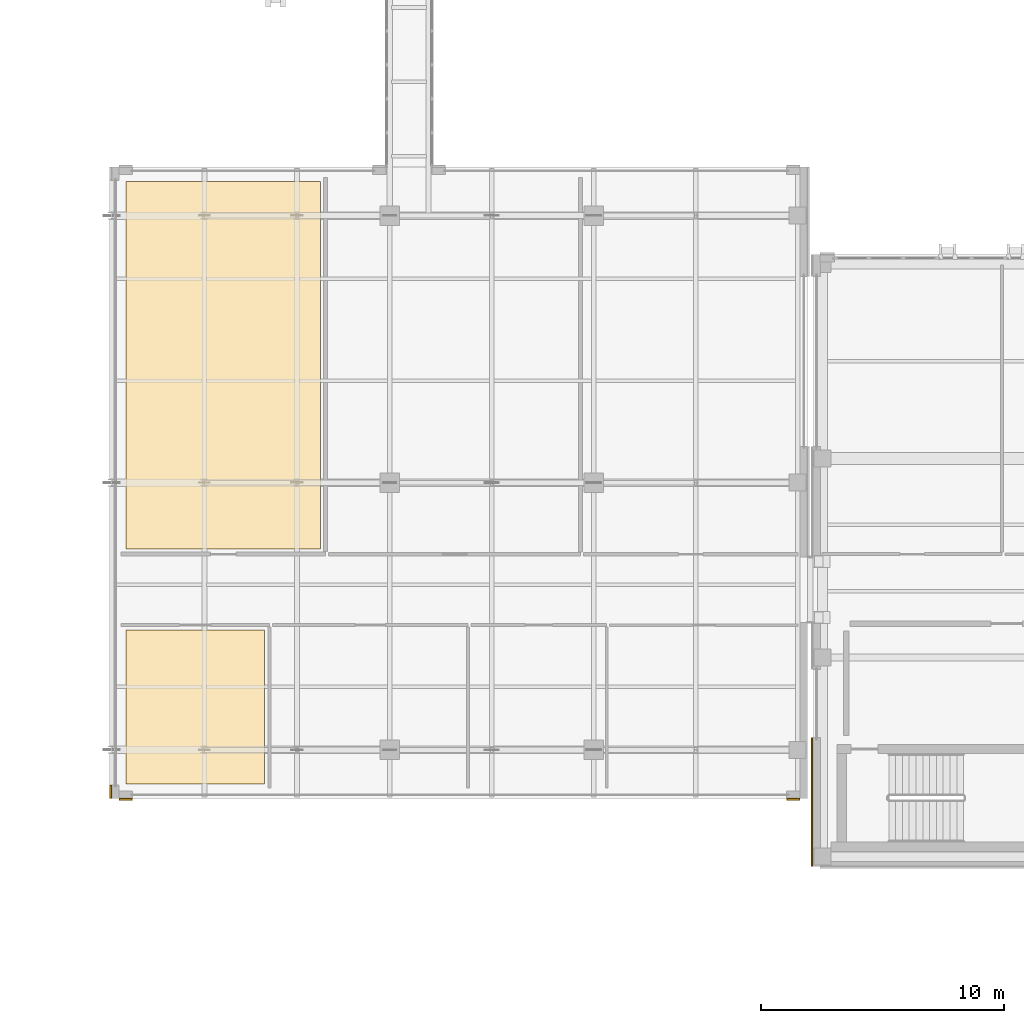
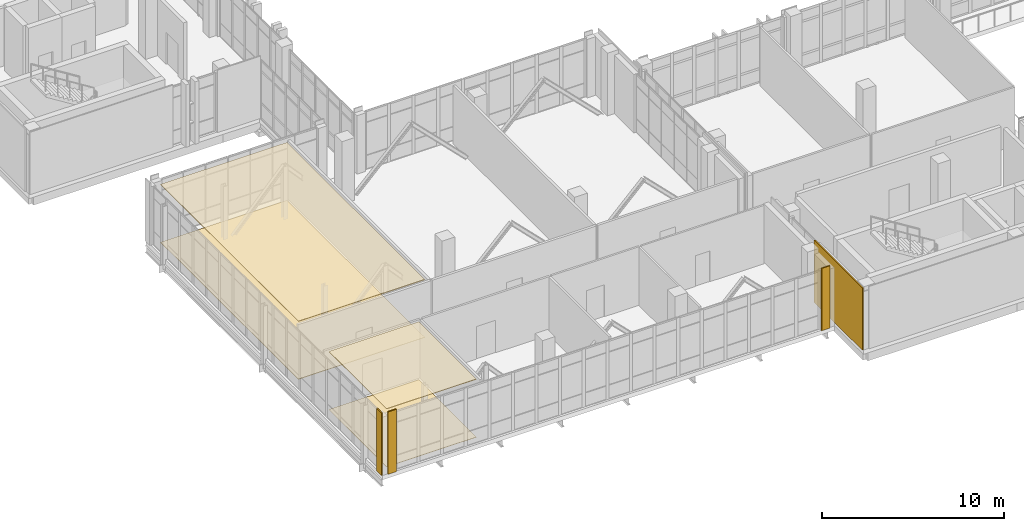
# One storey, part 172 of 193: 8 coverings.
"""IFC4 building model written with IfcOpenShell, lengths in metres."""

from ifc_helpers import new_model, si_unit, direction, frame, origin, origin_2d, place, context, subcontext, project, spatial, polyline, rectangle, outline, extrude, material, layer, layer_set, type_object, element, save


model = new_model("IFC4")

# Units and contexts
model_context = context("Model", 3, precision=1e-05, world=origin(), true_north=direction((0.0, 1.0)))
body_context = subcontext(model_context, "Body", "Model", "MODEL_VIEW")
ifc_project = project(units=[si_unit("LENGTHUNIT", "METRE"), si_unit("AREAUNIT", "SQUARE_METRE"), si_unit("VOLUMEUNIT", "CUBIC_METRE"), si_unit("PLANEANGLEUNIT", "RADIAN"), si_unit("MASSUNIT", "GRAM", prefix="KILO")], contexts=[model_context])

# Site, building, storey
site_placement = place(None, origin())
site = spatial("IfcSite", under=ifc_project, at=site_placement, CompositionType="ELEMENT")
building_placement = place(site_placement, origin())
building = spatial("IfcBuilding", under=site, at=building_placement, Name="Qalavern Law Courts", CompositionType="ELEMENT")
storey_placement = place(building_placement, frame((0.0, 0.0, 10.199951171875)))
storey = spatial("IfcBuildingStorey", under=building, at=storey_placement, Name="L02", CompositionType="ELEMENT", Elevation=10.199951171875)

# Coverings
ifc_material_1 = material(Name="Precast concrete C40/50", Category="concrete")
ifc_layer_1 = layer(ifc_material_1, 0.072021484375)
ifc_layer_set_1 = layer_set([ifc_layer_1], Name="Precast concrete C40/50")
covering_type_1 = type_object("IfcCoveringType", Name="ENV-CLD-2", PredefinedType="CLADDING", material=ifc_layer_set_1)
for number, where, z_axis, x_axis, name in (
    (1, (5.929931640625, 7.967041015625, 0.01025390625), (0.0, 0.0, 1.0), (1.0, 0.0, 0.0), "V1 Absheron limestone pier facing L02 south 1"),
    (2, (33.419921875, 7.967041015625, 0.01025390625), (0.0, 0.0, 1.0), (1.0, 0.0, 0.0), "V1 Absheron limestone pier facing L02 south 2"),
    (3, (5.31689453125, 8.27490234375, 0.01025390625), (0.0, 0.0, 1.0), (0.0, -1.0, 0.0), "V1 Absheron limestone pier facing L02 west 2"),
):
    element("IfcCovering", number, at=place(storey_placement, frame(where, z_axis=z_axis, x_axis=x_axis)), inside=storey, type_object=covering_type_1, Name=name, PredefinedType="CLADDING", context=body_context, shape_type="SweptSolid", body=[
        extrude(rectangle(XDim=0.530029296875, YDim=0.072021484375, at=origin_2d()), origin(), (0.0, 0.0, 1.0), 4.179931640625),
    ])
covering_1_placement = place(storey_placement, frame((34.18701171875, 7.85009765625, 0.01025390625), z_axis=(0.0, 0.0, 1.0), x_axis=(0.0, -1.0, 0.0)))
element("IfcCovering", 4, at=covering_1_placement, inside=storey, type_object=covering_type_1, Name="V2 Absheron limestone pier facing L02 west 2", PredefinedType="CLADDING", context=body_context, shape_type="SweptSolid", body=[
    extrude(rectangle(XDim=5.280029296875, YDim=0.072021484375, at=origin_2d()), origin(), (0.0, 0.0, 1.0), 4.179931640625),
])
ifc_material_2 = material(Name="Perforated gypsum and mineral-wool acoustic ceiling")
ifc_layer_2 = layer(ifc_material_2, 0.0380859375)
ifc_layer_set_2 = layer_set([ifc_layer_2], Name="Perforated gypsum and mineral-wool acoustic ceiling")
covering_type_2 = type_object("IfcCoveringType", Name="INT-CEIL-1", PredefinedType="CEILING", material=ifc_layer_set_2)
covering_2_placement = place(storey_placement, frame((0.0, 0.0, 3.876953125)))
element("IfcCovering", 5, at=covering_2_placement, inside=storey, type_object=covering_type_2, Name="Cantilevered Public Foyer acoustic ceiling L02", PredefinedType="CEILING", context=body_context, shape_type="SweptSolid", body=[
    extrude(outline(polyline([(5.93994140625, 8.590087890625), (11.637939453125, 8.590087890625), (11.637939453125, 14.929931640625), (5.93994140625, 14.929931640625), (5.93994140625, 8.590087890625)])), origin(), (0.0, 0.0, 1.0), 0.0380859375),
])
ifc_layer_3 = layer(ifc_material_2, 0.0458984375)
ifc_layer_set_3 = layer_set([ifc_layer_3], Name="Perforated gypsum and mineral-wool acoustic ceiling")
covering_type_3 = type_object("IfcCoveringType", Name="INT-CEIL-2", PredefinedType="CEILING", material=ifc_layer_set_3)
covering_3_placement = place(storey_placement, frame((0.0, 0.0, 3.869140625)))
element("IfcCovering", 6, at=covering_3_placement, inside=storey, type_object=covering_type_3, Name="Cantilevered Public Foyer acoustic ceiling L02", PredefinedType="CEILING", context=body_context, shape_type="SweptSolid", body=[
    extrude(outline(polyline([(5.93994140625, 18.27001953125), (13.951904296875, 18.27001953125), (13.951904296875, 33.409912109375), (5.93994140625, 33.409912109375), (5.93994140625, 18.27001953125)])), origin(), (0.0, 0.0, 1.0), 0.0458984375),
])
ifc_material_3 = material(Name="Acoustic engineered oak courtroom flooring")
ifc_layer_4 = layer(ifc_material_3, 0.02197265625)
ifc_layer_set_4 = layer_set([ifc_layer_4], Name="Acoustic engineered oak courtroom flooring")
covering_type_4 = type_object("IfcCoveringType", Name="INT-FLR-1", PredefinedType="FLOORING", material=ifc_layer_set_4)
covering_4_placement = place(storey_placement, origin())
element("IfcCovering", 7, at=covering_4_placement, inside=storey, type_object=covering_type_4, Name="Cantilevered Public Foyer finish flooring L02", PredefinedType="FLOORING", context=body_context, shape_type="SweptSolid", body=[
    extrude(outline(polyline([(5.93994140625, 8.590087890625), (11.637939453125, 8.590087890625), (11.637939453125, 14.929931640625), (5.93994140625, 14.929931640625), (5.93994140625, 8.590087890625)])), origin(), (0.0, 0.0, 1.0), 0.02197265625),
])
ifc_material_4 = material(Name="Polished Absheron stone terrazzo flooring", Category="masonry")
ifc_layer_5 = layer(ifc_material_4, 0.030029296875)
ifc_layer_set_5 = layer_set([ifc_layer_5], Name="Polished Absheron stone terrazzo flooring")
covering_type_5 = type_object("IfcCoveringType", Name="INT-FLR-2", PredefinedType="FLOORING", material=ifc_layer_set_5)
covering_5_placement = place(storey_placement, origin())
element("IfcCovering", 8, at=covering_5_placement, inside=storey, type_object=covering_type_5, Name="Cantilevered Public Foyer finish flooring L02", PredefinedType="FLOORING", context=body_context, shape_type="SweptSolid", body=[
    extrude(outline(polyline([(5.93994140625, 18.27001953125), (13.951904296875, 18.27001953125), (13.951904296875, 33.409912109375), (5.93994140625, 33.409912109375), (5.93994140625, 18.27001953125)])), origin(), (0.0, 0.0, 1.0), 0.030029296875),
])

save(model, "model.ifc")
